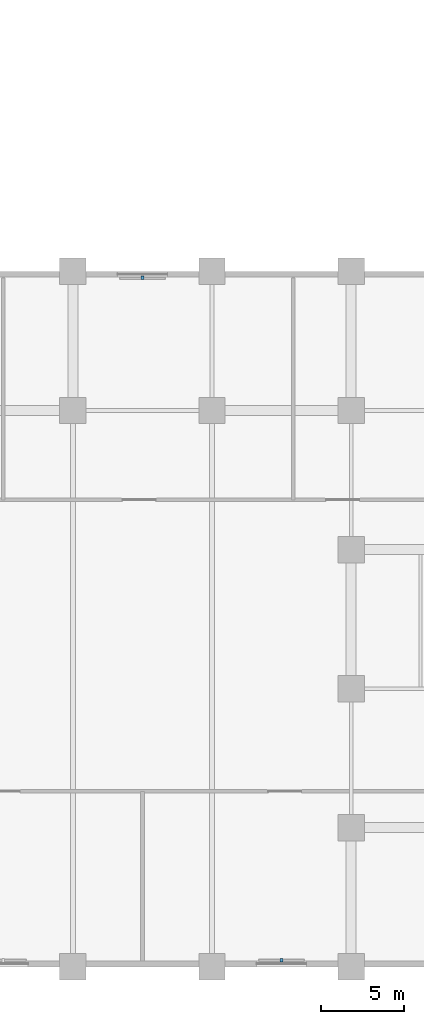
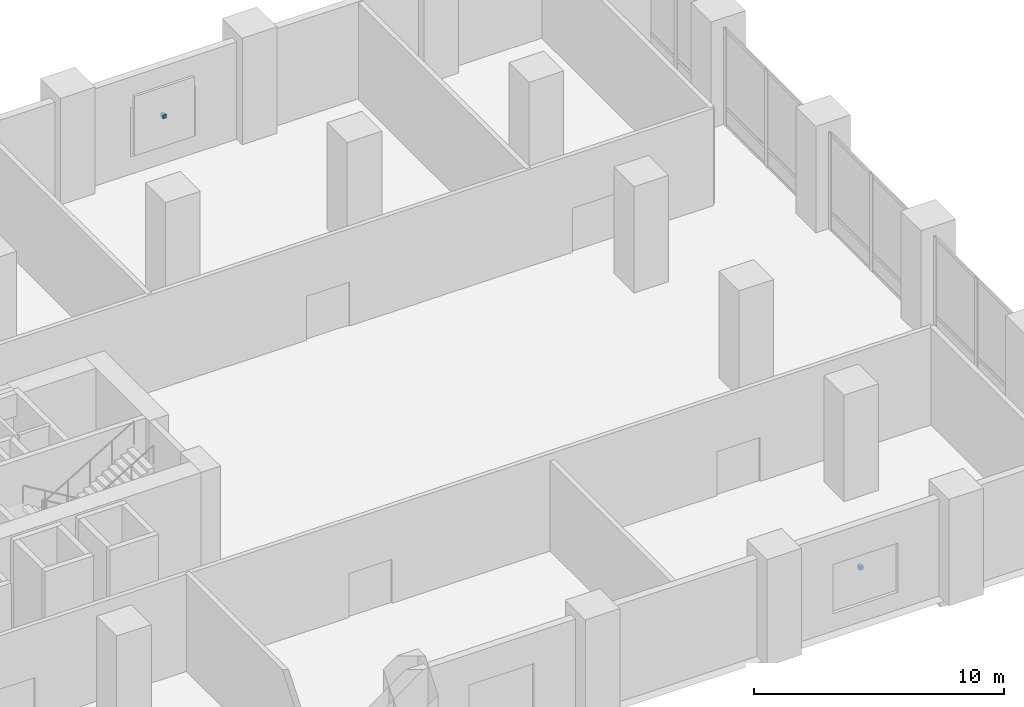
# One storey, part 18 of 23: 2 discrete accessories.
"""IFC4 building model written with IfcOpenShell, lengths in metres."""

from ifc_helpers import new_model, si_unit, direction, frame, origin, origin_2d, place, context, subcontext, project, spatial, rectangle, extrude, material, type_object, element, save


model = new_model("IFC4")

# Units and contexts
model_context = context("Model", 3, precision=1e-05, world=origin(), true_north=direction((0.0, 1.0)))
body_context = subcontext(model_context, "Body", "Model", "MODEL_VIEW")
ifc_project = project(units=[si_unit("LENGTHUNIT", "METRE"), si_unit("AREAUNIT", "SQUARE_METRE"), si_unit("VOLUMEUNIT", "CUBIC_METRE"), si_unit("PLANEANGLEUNIT", "RADIAN"), si_unit("MASSUNIT", "GRAM", prefix="KILO")], contexts=[model_context])

# Site, building, storey
site_placement = place(None, origin())
site = spatial("IfcSite", under=ifc_project, at=site_placement, CompositionType="ELEMENT")
building_placement = place(site_placement, origin())
building = spatial("IfcBuilding", under=site, at=building_placement, Name="Koriwani Terraces Tower", CompositionType="ELEMENT")
storey_placement = place(building_placement, frame((0.0, 0.0, 20.800048828125)))
storey = spatial("IfcBuildingStorey", under=building, at=storey_placement, Name="L04", CompositionType="ELEMENT", Elevation=20.800048828125)

# Discrete accessories
ifc_material = material(Name="Steel ASTM A572 Grade 50", Category="steel")
discrete_accessory_type = type_object("IfcDiscreteAccessoryType", Name="BAGUETTE_STANDOFF_BRACKET", PredefinedType="BRACKET", material=ifc_material)
for number, where, z_axis, x_axis, name in (
    (1, (71.39990234375, 41.610107421875, 2.28515625), (0.0, 0.0, 1.0), (1.0, 0.0, 0.0), "L04 Terracotta Baguette Bracket (NE-11)"),
    (2, (79.800048828125, 0.389892578125, 2.28515625), (0.0, 0.0, 1.0), (-1.0, 0.0, 0.0), "L04 Terracotta Baguette Bracket (S-27)"),
):
    element("IfcDiscreteAccessory", number, at=place(storey_placement, frame(where, z_axis=z_axis, x_axis=x_axis)), inside=storey, type_object=discrete_accessory_type, Name=name, PredefinedType="BRACKET", context=body_context, shape_type="SweptSolid", body=[
        extrude(rectangle(XDim=0.159912109375, YDim=0.199951171875, at=origin_2d()), origin(), (0.0, 0.0, 1.0), 0.179931640625),
    ])

save(model, "model.ifc")
